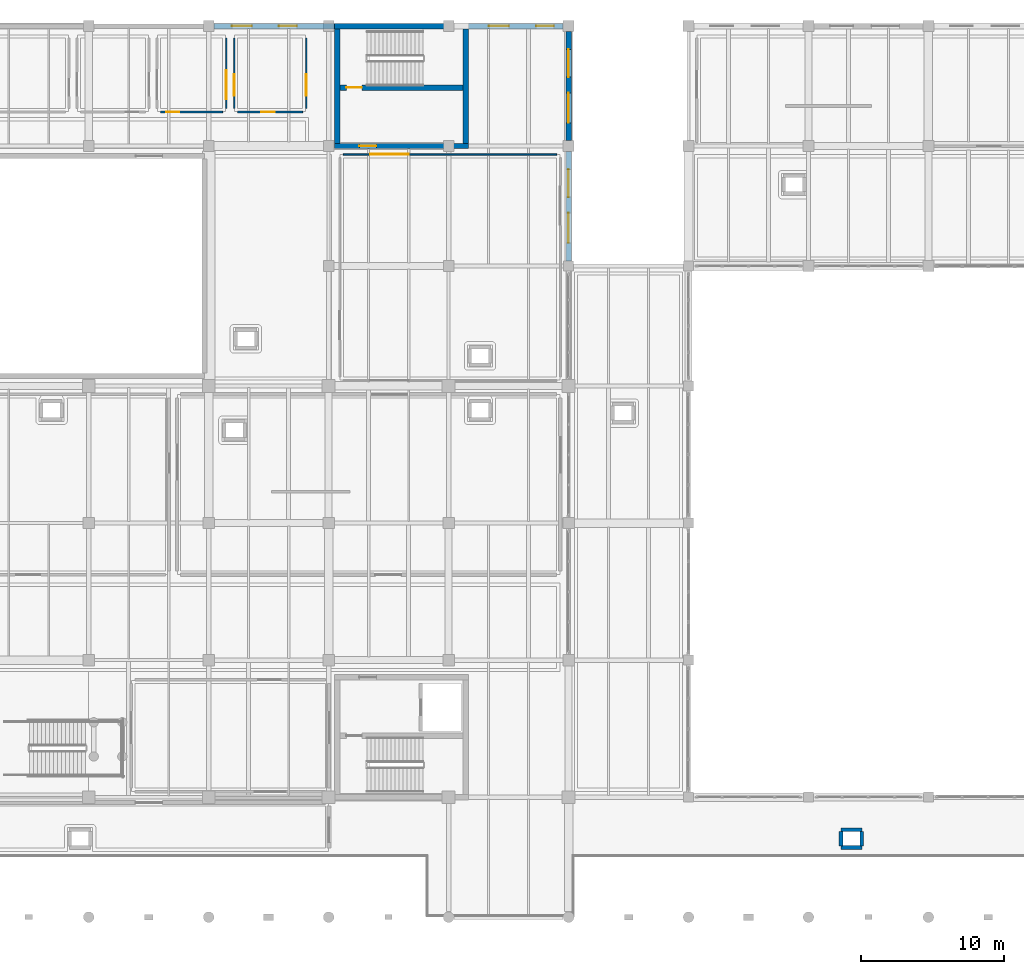
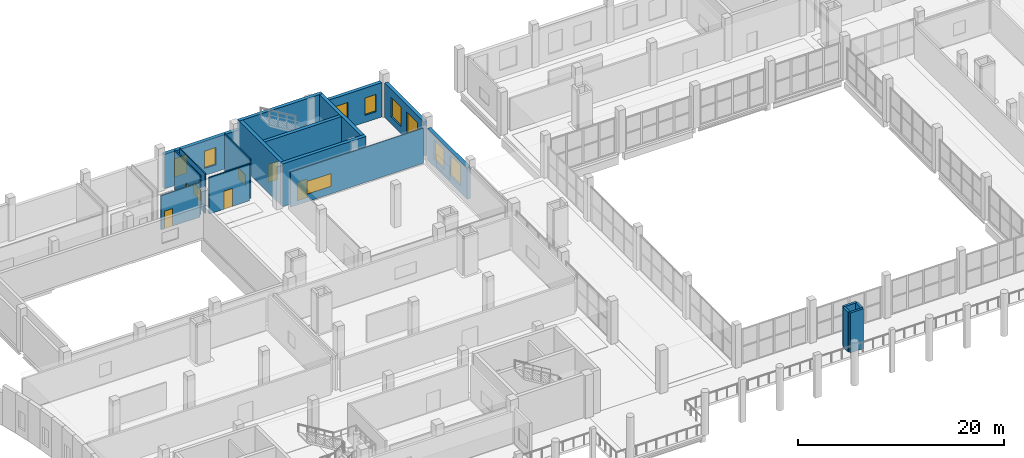
# One storey, part 47 of 66: 19 walls, 12 windows, 4 doors, 16 openings.
"""IFC4 building model written with IfcOpenShell, lengths in metres."""

from ifc_helpers import new_model, si_unit, direction, frame, frame_2d, origin, place, context, subcontext, project, spatial, rectangle, extrude, material, layer, layer_set, type_object, element, fill, save


model = new_model("IFC4")

# Units and contexts
model_context = context("Model", 3, precision=1e-05, world=origin(), true_north=direction((0.0, 1.0)))
body_context = subcontext(model_context, "Body", "Model", "MODEL_VIEW")
ifc_project = project(units=[si_unit("LENGTHUNIT", "METRE"), si_unit("AREAUNIT", "SQUARE_METRE"), si_unit("VOLUMEUNIT", "CUBIC_METRE"), si_unit("PLANEANGLEUNIT", "RADIAN"), si_unit("MASSUNIT", "GRAM", prefix="KILO")], contexts=[model_context])

# Site, building, storey
site_placement = place(None, origin())
site = spatial("IfcSite", under=ifc_project, at=site_placement, CompositionType="ELEMENT")
building_placement = place(site_placement, origin())
building = spatial("IfcBuilding", under=site, at=building_placement, Name="Zulmaris Art Gallery", CompositionType="ELEMENT")
storey_placement = place(building_placement, frame((0.0, 0.0, 5.39990234375)))
storey = spatial("IfcBuildingStorey", under=building, at=storey_placement, Name="L01", CompositionType="ELEMENT", Elevation=5.39990234375)

# Wall, openings, windows
ifc_material_1 = material(Name="Omani Desert Rose Limestone Cladding Wall", Category="masonry")
ifc_layer_1 = layer(ifc_material_1, 0.389892578125)
ifc_layer_set_1 = layer_set([ifc_layer_1], Name="Omani Desert Rose Limestone Cladding Wall")
wall_type_1 = type_object("IfcWallType", Name="ENV-WALL-EW02", PredefinedType="SOLIDWALL", material=ifc_layer_set_1)
wall_1_placement = place(storey_placement, frame((57.97705078125, 75.60009765625, 0.0), z_axis=(0.0, 0.0, 1.0), x_axis=(1.0, 0.0, 0.0)))
wall_1 = element("IfcWall", 1, at=wall_1_placement, inside=storey, type_object=wall_type_1, Name="L01 V3 North Limestone Wall (57.6..66.4)", PredefinedType="SOLIDWALL", context=body_context, shape_type="SweptSolid", body=[
    extrude(rectangle(XDim=8.430908203125, YDim=0.389892578125, at=frame_2d((4.21533203125, 0.0))), origin(), (0.0, 0.0, 1.0), 4.070068359375),
])
opening_1_placement = place(wall_1_placement, frame((1.242919921875, 0.0, 0.85009765625)))
opening_1 = element("IfcOpeningElement", 2, at=opening_1_placement, cuts=wall_1, Name="Opening W04", PredefinedType="OPENING", context=body_context, shape_type="SweptSolid", body=[
    extrude(rectangle(XDim=1.39990234375, YDim=2.199951171875, at=frame_2d((0.699951171875, 1.10009765625))), frame((0.0, 0.204833984375, 0.0), z_axis=(0.0, -1.0, 0.0), x_axis=(1.0, 0.0, 0.0)), (0.0, 0.0, 1.0), 0.409912109375),
])
opening_2_placement = place(wall_1_placement, frame((4.54296875, 0.0, 0.85009765625)))
opening_2 = element("IfcOpeningElement", 3, at=opening_2_placement, cuts=wall_1, Name="Opening W10", PredefinedType="OPENING", context=body_context, shape_type="SweptSolid", body=[
    extrude(rectangle(XDim=1.25, YDim=2.050048828125, at=frame_2d((0.625, 1.02490234375))), frame((0.0, 0.204833984375, 0.0), z_axis=(0.0, -1.0, 0.0), x_axis=(1.0, 0.0, 0.0)), (0.0, 0.0, 1.0), 0.409912109375),
])
ifc_material_2 = material(Name="Deep-Reveal Limestone Slot Window", Category="masonry")
window_type_1 = type_object("IfcWindowType", Name="WIN-W04", PartitioningType="SINGLE_PANEL", PredefinedType="WINDOW", material=ifc_material_2)
window_1_placement = place(opening_1_placement, origin())
window_1 = element("IfcWindow", 4, at=window_1_placement, inside=storey, type_object=window_type_1, Name="L01 exterior window W04", OverallHeight=2.199951171875, OverallWidth=1.39990234375, PartitioningType="SINGLE_PANEL", PredefinedType="WINDOW", context=body_context, shape_type="SweptSolid", body=[
    extrude(rectangle(XDim=1.39990234375, YDim=2.199951171875, at=frame_2d((0.699951171875, 1.10009765625))), frame((0.0, 0.030029296875, 0.0), z_axis=(0.0, -1.0, 0.0), x_axis=(1.0, 0.0, 0.0)), (0.0, 0.0, 1.0), 0.06005859375),
])
fill(opening_1, window_1)
ifc_material_3 = material(Name="Limestone Deep-Set Lancet Window", Category="masonry")
window_type_2 = type_object("IfcWindowType", Name="WIN-W10", PartitioningType="SINGLE_PANEL", PredefinedType="WINDOW", material=ifc_material_3)
window_2_placement = place(opening_2_placement, origin())
window_2 = element("IfcWindow", 5, at=window_2_placement, inside=storey, type_object=window_type_2, Name="L01 exterior window W10", OverallHeight=2.050048828125, OverallWidth=1.25, PartitioningType="SINGLE_PANEL", PredefinedType="WINDOW", context=body_context, shape_type="SweptSolid", body=[
    extrude(rectangle(XDim=1.25, YDim=2.050048828125, at=frame_2d((0.625, 1.02490234375))), frame((0.0, 0.030029296875, 0.0), z_axis=(0.0, -1.0, 0.0), x_axis=(1.0, 0.0, 0.0)), (0.0, 0.0, 1.0), 0.06005859375),
])
fill(opening_2, window_2)

wall_2_placement = place(storey_placement, frame((75.7919921875, 75.60009765625, 0.0), z_axis=(0.0, 0.0, 1.0), x_axis=(1.0, 0.0, 0.0)))
wall_2 = element("IfcWall", 6, at=wall_2_placement, inside=storey, type_object=wall_type_1, Name="L01 V3 North Limestone Wall (75.6..82.8)", PredefinedType="SOLIDWALL", context=body_context, shape_type="SweptSolid", body=[
    extrude(rectangle(XDim=6.631103515625, YDim=0.389892578125, at=frame_2d((3.3154296875, 0.0))), origin(), (0.0, 0.0, 1.0), 4.070068359375),
])
opening_3_placement = place(wall_2_placement, frame((1.427978515625, 0.0, 0.85009765625)))
opening_3 = element("IfcOpeningElement", 7, at=opening_3_placement, cuts=wall_2, Name="Opening W04", PredefinedType="OPENING", context=body_context, shape_type="SweptSolid", body=[
    extrude(rectangle(XDim=1.39990234375, YDim=2.199951171875, at=frame_2d((0.699951171875, 1.10009765625))), frame((0.0, 0.204833984375, 0.0), z_axis=(0.0, -1.0, 0.0), x_axis=(1.0, 0.0, 0.0)), (0.0, 0.0, 1.0), 0.409912109375),
])
opening_4_placement = place(wall_2_placement, frame((4.72802734375, 0.0, 0.85009765625)))
opening_4 = element("IfcOpeningElement", 8, at=opening_4_placement, cuts=wall_2, Name="Opening W10", PredefinedType="OPENING", context=body_context, shape_type="SweptSolid", body=[
    extrude(rectangle(XDim=1.25, YDim=2.050048828125, at=frame_2d((0.625, 1.02490234375))), frame((0.0, 0.204833984375, 0.0), z_axis=(0.0, -1.0, 0.0), x_axis=(1.0, 0.0, 0.0)), (0.0, 0.0, 1.0), 0.409912109375),
])
window_3_placement = place(opening_3_placement, origin())
window_3 = element("IfcWindow", 9, at=window_3_placement, inside=storey, type_object=window_type_1, Name="L01 exterior window W04", OverallHeight=2.199951171875, OverallWidth=1.39990234375, PartitioningType="SINGLE_PANEL", PredefinedType="WINDOW", context=body_context, shape_type="SweptSolid", body=[
    extrude(rectangle(XDim=1.39990234375, YDim=2.199951171875, at=frame_2d((0.699951171875, 1.10009765625))), frame((0.0, 0.030029296875, 0.0), z_axis=(0.0, -1.0, 0.0), x_axis=(1.0, 0.0, 0.0)), (0.0, 0.0, 1.0), 0.06005859375),
])
fill(opening_3, window_3)
window_4_placement = place(opening_4_placement, origin())
window_4 = element("IfcWindow", 10, at=window_4_placement, inside=storey, type_object=window_type_2, Name="L01 exterior window W10", OverallHeight=2.050048828125, OverallWidth=1.25, PartitioningType="SINGLE_PANEL", PredefinedType="WINDOW", context=body_context, shape_type="SweptSolid", body=[
    extrude(rectangle(XDim=1.25, YDim=2.050048828125, at=frame_2d((0.625, 1.02490234375))), frame((0.0, 0.030029296875, 0.0), z_axis=(0.0, -1.0, 0.0), x_axis=(1.0, 0.0, 0.0)), (0.0, 0.0, 1.0), 0.06005859375),
])
fill(opening_4, window_4)

wall_3_placement = place(storey_placement, frame((82.800048828125, 59.152099609375, 0.0), z_axis=(0.0, 0.0, 1.0), x_axis=(0.0, 1.0, 0.0)))
wall_3 = element("IfcWall", 11, at=wall_3_placement, inside=storey, type_object=wall_type_1, Name="L01 V3 East Learning Studio Wall", PredefinedType="SOLIDWALL", context=body_context, shape_type="SweptSolid", body=[
    extrude(rectangle(XDim=7.6708984375, YDim=0.389892578125, at=frame_2d((3.83544921875, 0.0))), origin(), (0.0, 0.0, 1.0), 3.77001953125),
])
opening_5_placement = place(wall_3_placement, frame((1.26806640625, 0.0, 0.85009765625)))
opening_5 = element("IfcOpeningElement", 12, at=opening_5_placement, cuts=wall_3, Name="Opening W03", PredefinedType="OPENING", context=body_context, shape_type="SweptSolid", body=[
    extrude(rectangle(XDim=2.10009765625, YDim=2.39990234375, at=frame_2d((1.050048828125, 1.199951171875))), frame((0.0, 0.204833984375, 0.0), z_axis=(0.0, -1.0, 0.0), x_axis=(1.0, 0.0, 0.0)), (0.0, 0.0, 1.0), 0.409912109375),
])
opening_6_placement = place(wall_3_placement, frame((4.468017578125, 0.0, 0.85009765625)))
opening_6 = element("IfcOpeningElement", 13, at=opening_6_placement, cuts=wall_3, Name="Opening W08", PredefinedType="OPENING", context=body_context, shape_type="SweptSolid", body=[
    extrude(rectangle(XDim=1.949951171875, YDim=2.300048828125, at=frame_2d((0.97509765625, 1.14990234375))), frame((0.0, 0.204833984375, 0.0), z_axis=(0.0, -1.0, 0.0), x_axis=(1.0, 0.0, 0.0)), (0.0, 0.0, 1.0), 0.409912109375),
])
ifc_material_4 = material(Name="Double-Glazed Bronze-Framed Studio Window", Category="glass")
window_type_3 = type_object("IfcWindowType", Name="WIN-W03", PartitioningType="SINGLE_PANEL", PredefinedType="WINDOW", material=ifc_material_4)
window_5_placement = place(opening_5_placement, origin())
window_5 = element("IfcWindow", 14, at=window_5_placement, inside=storey, type_object=window_type_3, Name="L01 exterior window W03", OverallHeight=2.39990234375, OverallWidth=2.10009765625, PartitioningType="SINGLE_PANEL", PredefinedType="WINDOW", context=body_context, shape_type="SweptSolid", body=[
    extrude(rectangle(XDim=2.10009765625, YDim=2.39990234375, at=frame_2d((1.050048828125, 1.199951171875))), frame((0.0, 0.030029296875, 0.0), z_axis=(0.0, -1.0, 0.0), x_axis=(1.0, 0.0, 0.0)), (0.0, 0.0, 1.0), 0.06005859375),
])
fill(opening_5, window_5)
ifc_material_5 = material(Name="Curatorial North Studio Window", Category="glass")
window_type_4 = type_object("IfcWindowType", Name="WIN-W08", PartitioningType="SINGLE_PANEL", PredefinedType="WINDOW", material=ifc_material_5)
window_6_placement = place(opening_6_placement, origin())
window_6 = element("IfcWindow", 15, at=window_6_placement, inside=storey, type_object=window_type_4, Name="L01 exterior window W08", OverallHeight=2.300048828125, OverallWidth=1.949951171875, PartitioningType="SINGLE_PANEL", PredefinedType="WINDOW", context=body_context, shape_type="SweptSolid", body=[
    extrude(rectangle(XDim=1.949951171875, YDim=2.300048828125, at=frame_2d((0.97509765625, 1.14990234375))), frame((0.0, 0.030029296875, 0.0), z_axis=(0.0, -1.0, 0.0), x_axis=(1.0, 0.0, 0.0)), (0.0, 0.0, 1.0), 0.06005859375),
])
fill(opening_6, window_6)

wall_4_placement = place(storey_placement, frame((82.800048828125, 67.576904296875, 0.0), z_axis=(0.0, 0.0, 1.0), x_axis=(0.0, 1.0, 0.0)))
wall_4 = element("IfcWall", 16, at=wall_4_placement, inside=storey, type_object=wall_type_1, Name="L01 V3 East Learning Studio Wall", PredefinedType="SOLIDWALL", context=body_context, shape_type="SweptSolid", body=[
    extrude(rectangle(XDim=7.64599609375, YDim=0.389892578125, at=frame_2d((3.822998046875, 0.0))), origin(), (0.0, 0.0, 1.0), 4.0751953125),
])
opening_7_placement = place(wall_4_placement, frame((1.242919921875, 0.0, 0.85009765625)))
opening_7 = element("IfcOpeningElement", 17, at=opening_7_placement, cuts=wall_4, Name="Opening W03", PredefinedType="OPENING", context=body_context, shape_type="SweptSolid", body=[
    extrude(rectangle(XDim=2.10009765625, YDim=2.39990234375, at=frame_2d((1.050048828125, 1.199951171875))), frame((0.0, 0.204833984375, 0.0), z_axis=(0.0, -1.0, 0.0), x_axis=(1.0, 0.0, 0.0)), (0.0, 0.0, 1.0), 0.409912109375),
])
opening_8_placement = place(wall_4_placement, frame((4.443115234375, 0.0, 0.85009765625)))
opening_8 = element("IfcOpeningElement", 18, at=opening_8_placement, cuts=wall_4, Name="Opening W08", PredefinedType="OPENING", context=body_context, shape_type="SweptSolid", body=[
    extrude(rectangle(XDim=1.949951171875, YDim=2.300048828125, at=frame_2d((0.97509765625, 1.14990234375))), frame((0.0, 0.204833984375, 0.0), z_axis=(0.0, -1.0, 0.0), x_axis=(1.0, 0.0, 0.0)), (0.0, 0.0, 1.0), 0.409912109375),
])
window_7_placement = place(opening_7_placement, origin())
window_7 = element("IfcWindow", 19, at=window_7_placement, inside=storey, type_object=window_type_3, Name="L01 exterior window W03", OverallHeight=2.39990234375, OverallWidth=2.10009765625, PartitioningType="SINGLE_PANEL", PredefinedType="WINDOW", context=body_context, shape_type="SweptSolid", body=[
    extrude(rectangle(XDim=2.10009765625, YDim=2.39990234375, at=frame_2d((1.050048828125, 1.199951171875))), frame((0.0, 0.030029296875, 0.0), z_axis=(0.0, -1.0, 0.0), x_axis=(1.0, 0.0, 0.0)), (0.0, 0.0, 1.0), 0.06005859375),
])
fill(opening_7, window_7)
window_8_placement = place(opening_8_placement, origin())
window_8 = element("IfcWindow", 20, at=window_8_placement, inside=storey, type_object=window_type_4, Name="L01 exterior window W08", OverallHeight=2.300048828125, OverallWidth=1.949951171875, PartitioningType="SINGLE_PANEL", PredefinedType="WINDOW", context=body_context, shape_type="SweptSolid", body=[
    extrude(rectangle(XDim=1.949951171875, YDim=2.300048828125, at=frame_2d((0.97509765625, 1.14990234375))), frame((0.0, 0.030029296875, 0.0), z_axis=(0.0, -1.0, 0.0), x_axis=(1.0, 0.0, 0.0)), (0.0, 0.0, 1.0), 0.06005859375),
])
fill(opening_8, window_8)

# Wall, opening, window
ifc_material_6 = material(Name="Acoustic Office Gypsum Partition", Category="gypsum")
ifc_layer_2 = layer(ifc_material_6, 0.10009765625)
ifc_layer_set_2 = layer_set([ifc_layer_2], Name="Acoustic Office Gypsum Partition")
wall_type_2 = type_object("IfcWallType", Name="IWALL-PW01", PredefinedType="PARTITIONING", material=ifc_layer_set_2)
wall_5_placement = place(storey_placement, frame((67.030029296875, 66.6201171875, 0.0), z_axis=(0.0, 0.0, 1.0), x_axis=(1.0, 0.0, 0.0)))
wall_5 = element("IfcWall", 21, at=wall_5_placement, inside=storey, type_object=wall_type_2, Name="Art Reference Library & Reading Room N partition", PredefinedType="PARTITIONING", context=body_context, shape_type="SweptSolid", body=[
    extrude(rectangle(XDim=14.93994140625, YDim=0.10009765625, at=frame_2d((7.469970703125, 0.0))), origin(), (0.0, 0.0, 1.0), 4.170166015625),
])
opening_9_placement = place(wall_5_placement, frame((1.89990234375, 0.0, 0.89990234375)))
opening_9 = element("IfcOpeningElement", 22, at=opening_9_placement, cuts=wall_5, Name="Opening IW07", PredefinedType="OPENING", context=body_context, shape_type="SweptSolid", body=[
    extrude(rectangle(XDim=2.679931640625, YDim=1.52001953125, at=frame_2d((1.33984375, 0.760009765625))), frame((0.0, 0.06005859375, 0.0), z_axis=(0.0, -1.0, 0.0), x_axis=(1.0, 0.0, 0.0)), (0.0, 0.0, 1.0), 0.1201171875),
])
ifc_material_7 = material(Name="Artists Salon Overlook Glazing", Category="glass")
window_type_5 = type_object("IfcWindowType", Name="IWIN-IW07", PartitioningType="SINGLE_PANEL", PredefinedType="WINDOW", material=ifc_material_7)
window_9_placement = place(opening_9_placement, origin())
window_9 = element("IfcWindow", 23, at=window_9_placement, inside=storey, type_object=window_type_5, Name="L01 interior observation window IW07", OverallHeight=1.52001953125, OverallWidth=2.679931640625, PartitioningType="SINGLE_PANEL", PredefinedType="WINDOW", context=body_context, shape_type="SweptSolid", body=[
    extrude(rectangle(XDim=2.679931640625, YDim=1.52001953125, at=frame_2d((1.33984375, 0.760009765625))), frame((0.0, 0.030029296875, 0.0), z_axis=(0.0, -1.0, 0.0), x_axis=(1.0, 0.0, 0.0)), (0.0, 0.0, 1.0), 0.06005859375),
])
fill(opening_9, window_9)

# Wall, opening, door
ifc_material_8 = material(Name="Moisture-Resistant Tile-Backer Wet Wall", Category="gypsum")
ifc_layer_3 = layer(ifc_material_8, 0.114990234375)
ifc_layer_set_3 = layer_set([ifc_layer_3], Name="Moisture-Resistant Tile-Backer Wet Wall")
wall_type_3 = type_object("IfcWallType", Name="IWALL-PW02", PredefinedType="PARTITIONING", material=ifc_layer_set_3)
wall_6_placement = place(storey_placement, frame((54.22998046875, 69.580078125, 0.0), z_axis=(0.0, 0.0, 1.0), x_axis=(1.0, 0.0, 0.0)))
wall_6 = element("IfcWall", 24, at=wall_6_placement, inside=storey, type_object=wall_type_3, Name="Level 01 Female WC S partition", PredefinedType="PARTITIONING", context=body_context, shape_type="SweptSolid", body=[
    extrude(rectangle(XDim=4.340087890625, YDim=0.114990234375, at=frame_2d((2.169921875, 0.0))), origin(), (0.0, 0.0, 1.0), 4.070068359375),
])
opening_10_placement = place(wall_6_placement, frame((0.39990234375, 0.0, 0.0)))
opening_10 = element("IfcOpeningElement", 25, at=opening_10_placement, cuts=wall_6, Name="Opening D01", PredefinedType="OPENING", context=body_context, shape_type="SweptSolid", body=[
    extrude(rectangle(XDim=0.89990234375, YDim=2.10009765625, at=frame_2d((0.449951171875, 1.050048828125))), frame((0.0, 0.0673828125, 0.0), z_axis=(0.0, -1.0, 0.0), x_axis=(1.0, 0.0, 0.0)), (0.0, 0.0, 1.0), 0.135009765625),
])
ifc_material_9 = material(Name="Moisture-Resistant WC Door", Category="timber")
door_type_1 = type_object("IfcDoorType", Name="IDOOR-D01", OperationType="NOTDEFINED", PredefinedType="DOOR", material=ifc_material_9)
door_1_placement = place(opening_10_placement, origin())
door_1 = element("IfcDoor", 26, at=door_1_placement, inside=storey, type_object=door_type_1, Name="Level 01 Female WC Door", OperationType="SINGLE_SWING_LEFT", OverallHeight=2.10009765625, OverallWidth=0.89990234375, PredefinedType="DOOR", context=body_context, shape_type="SweptSolid", body=[
    extrude(rectangle(XDim=0.89990234375, YDim=2.10009765625, at=frame_2d((0.449951171875, 1.050048828125))), frame((0.0, 0.02490234375, 0.0), z_axis=(0.0, -1.0, 0.0), x_axis=(1.0, 0.0, 0.0)), (0.0, 0.0, 1.0), 0.050048828125),
])
fill(opening_10, door_1)

# Wall, opening, window
wall_7_placement = place(storey_placement, frame((58.820068359375, 69.830078125, 0.0), z_axis=(0.0, 0.0, 1.0), x_axis=(0.0, 1.0, 0.0)))
wall_7 = element("IfcWall", 27, at=wall_7_placement, inside=storey, type_object=wall_type_3, Name="Level 01 Female WC E partition", PredefinedType="PARTITIONING", context=body_context, shape_type="SweptSolid", body=[
    extrude(rectangle(XDim=4.93994140625, YDim=0.114990234375, at=frame_2d((2.469970703125, 0.0))), origin(), (0.0, 0.0, 1.0), 4.72021484375),
])
opening_11_placement = place(wall_7_placement, frame((0.64990234375, 0.0, 0.89990234375)))
opening_11 = element("IfcOpeningElement", 28, at=opening_11_placement, cuts=wall_7, Name="Opening IW10", PredefinedType="OPENING", context=body_context, shape_type="SweptSolid", body=[
    extrude(rectangle(XDim=2.02001953125, YDim=1.320068359375, at=frame_2d((1.010009765625, 0.66015625))), frame((0.0, 0.0673828125, 0.0), z_axis=(0.0, -1.0, 0.0), x_axis=(1.0, 0.0, 0.0)), (0.0, 0.0, 1.0), 0.135009765625),
])
ifc_material_10 = material(Name="Seminar Acoustic Viewing Window", Category="glass")
window_type_6 = type_object("IfcWindowType", Name="IWIN-IW10", PartitioningType="SINGLE_PANEL", PredefinedType="WINDOW", material=ifc_material_10)
window_10_placement = place(opening_11_placement, origin())
window_10 = element("IfcWindow", 29, at=window_10_placement, inside=storey, type_object=window_type_6, Name="L01 interior observation window IW10", OverallHeight=1.320068359375, OverallWidth=2.02001953125, PartitioningType="SINGLE_PANEL", PredefinedType="WINDOW", context=body_context, shape_type="SweptSolid", body=[
    extrude(rectangle(XDim=2.02001953125, YDim=1.320068359375, at=frame_2d((1.010009765625, 0.66015625))), frame((0.0, 0.030029296875, 0.0), z_axis=(0.0, -1.0, 0.0), x_axis=(1.0, 0.0, 0.0)), (0.0, 0.0, 1.0), 0.06005859375),
])
fill(opening_11, window_10)

# Wall, opening, door
wall_8_placement = place(storey_placement, frame((59.6298828125, 69.580078125, 0.0), z_axis=(0.0, 0.0, 1.0), x_axis=(1.0, 0.0, 0.0)))
wall_8 = element("IfcWall", 30, at=wall_8_placement, inside=storey, type_object=wall_type_3, Name="Level 01 Accessible WC S partition", PredefinedType="PARTITIONING", context=body_context, shape_type="SweptSolid", body=[
    extrude(rectangle(XDim=4.5400390625, YDim=0.114990234375, at=frame_2d((2.27001953125, 0.0))), origin(), (0.0, 0.0, 1.0), 4.340087890625),
])
opening_12_placement = place(wall_8_placement, frame((1.64990234375, 0.0, 0.0)))
opening_12 = element("IfcOpeningElement", 31, at=opening_12_placement, cuts=wall_8, Name="Opening D02", PredefinedType="OPENING", context=body_context, shape_type="SweptSolid", body=[
    extrude(rectangle(XDim=0.9599609375, YDim=2.139892578125, at=frame_2d((0.47998046875, 1.06982421875))), frame((0.0, 0.0673828125, 0.0), z_axis=(0.0, -1.0, 0.0), x_axis=(1.0, 0.0, 0.0)), (0.0, 0.0, 1.0), 0.135009765625),
])
ifc_material_11 = material(Name="Accessible WC Outward-Opening Door", Category="timber")
door_type_2 = type_object("IfcDoorType", Name="IDOOR-D02", OperationType="NOTDEFINED", PredefinedType="DOOR", material=ifc_material_11)
door_2_placement = place(opening_12_placement, origin())
door_2 = element("IfcDoor", 32, at=door_2_placement, inside=storey, type_object=door_type_2, Name="Level 01 Accessible WC Door", OperationType="SINGLE_SWING_RIGHT", OverallHeight=2.139892578125, OverallWidth=0.9599609375, PredefinedType="DOOR", context=body_context, shape_type="SweptSolid", body=[
    extrude(rectangle(XDim=0.9599609375, YDim=2.139892578125, at=frame_2d((0.47998046875, 1.06982421875))), frame((0.0, 0.02490234375, 0.0), z_axis=(0.0, -1.0, 0.0), x_axis=(1.0, 0.0, 0.0)), (0.0, 0.0, 1.0), 0.050048828125),
])
fill(opening_12, door_2)

# Wall, opening, window
wall_9_placement = place(storey_placement, frame((59.3798828125, 69.830078125, 0.0), z_axis=(0.0, 0.0, 1.0), x_axis=(0.0, 1.0, 0.0)))
wall_9 = element("IfcWall", 33, at=wall_9_placement, inside=storey, type_object=wall_type_3, Name="Level 01 Accessible WC W partition", PredefinedType="PARTITIONING", context=body_context, shape_type="SweptSolid", body=[
    extrude(rectangle(XDim=4.93994140625, YDim=0.114990234375, at=frame_2d((2.469970703125, 0.0))), origin(), (0.0, 0.0, 1.0), 4.72021484375),
])
opening_13_placement = place(wall_9_placement, frame((0.89990234375, 0.0, 0.89990234375)))
opening_13 = element("IfcOpeningElement", 34, at=opening_13_placement, cuts=wall_9, Name="Opening IW01", PredefinedType="OPENING", context=body_context, shape_type="SweptSolid", body=[
    extrude(rectangle(XDim=1.47998046875, YDim=1.35009765625, at=frame_2d((0.739990234375, 0.675048828125))), frame((0.0, 0.0673828125, 0.0), z_axis=(0.0, -1.0, 0.0), x_axis=(1.0, 0.0, 0.0)), (0.0, 0.0, 1.0), 0.135009765625),
])
ifc_material_12 = material(Name="Conservation Studio Viewing Window", Category="glass")
window_type_7 = type_object("IfcWindowType", Name="IWIN-IW01", PartitioningType="SINGLE_PANEL", PredefinedType="WINDOW", material=ifc_material_12)
window_11_placement = place(opening_13_placement, origin())
window_11 = element("IfcWindow", 35, at=window_11_placement, inside=storey, type_object=window_type_7, Name="L01 interior observation window IW01", OverallHeight=1.35009765625, OverallWidth=1.47998046875, PartitioningType="SINGLE_PANEL", PredefinedType="WINDOW", context=body_context, shape_type="SweptSolid", body=[
    extrude(rectangle(XDim=1.47998046875, YDim=1.35009765625, at=frame_2d((0.739990234375, 0.675048828125))), frame((0.0, 0.030029296875, 0.0), z_axis=(0.0, -1.0, 0.0), x_axis=(1.0, 0.0, 0.0)), (0.0, 0.0, 1.0), 0.06005859375),
])
fill(opening_13, window_11)

wall_10_placement = place(storey_placement, frame((64.419921875, 69.830078125, 0.0), z_axis=(0.0, 0.0, 1.0), x_axis=(0.0, 1.0, 0.0)))
wall_10 = element("IfcWall", 36, at=wall_10_placement, inside=storey, type_object=wall_type_3, Name="Level 01 Accessible WC E partition", PredefinedType="PARTITIONING", context=body_context, shape_type="SweptSolid", body=[
    extrude(rectangle(XDim=4.93994140625, YDim=0.114990234375, at=frame_2d((2.469970703125, 0.0))), origin(), (0.0, 0.0, 1.0), 4.72021484375),
])
opening_14_placement = place(wall_10_placement, frame((0.89990234375, 0.0, 0.89990234375)))
opening_14 = element("IfcOpeningElement", 37, at=opening_14_placement, cuts=wall_10, Name="Opening IW01", PredefinedType="OPENING", context=body_context, shape_type="SweptSolid", body=[
    extrude(rectangle(XDim=1.47998046875, YDim=1.35009765625, at=frame_2d((0.739990234375, 0.675048828125))), frame((0.0, 0.0673828125, 0.0), z_axis=(0.0, -1.0, 0.0), x_axis=(1.0, 0.0, 0.0)), (0.0, 0.0, 1.0), 0.135009765625),
])
window_12_placement = place(opening_14_placement, origin())
window_12 = element("IfcWindow", 38, at=window_12_placement, inside=storey, type_object=window_type_7, Name="L01 interior observation window IW01", OverallHeight=1.35009765625, OverallWidth=1.47998046875, PartitioningType="SINGLE_PANEL", PredefinedType="WINDOW", context=body_context, shape_type="SweptSolid", body=[
    extrude(rectangle(XDim=1.47998046875, YDim=1.35009765625, at=frame_2d((0.739990234375, 0.675048828125))), frame((0.0, 0.030029296875, 0.0), z_axis=(0.0, -1.0, 0.0), x_axis=(1.0, 0.0, 0.0)), (0.0, 0.0, 1.0), 0.06005859375),
])
fill(opening_14, window_12)

# Walls
ifc_material_13 = material(Name="MEP Riser & Smoke Shaft Enclosure Wall", Category="masonry")
ifc_layer_4 = layer(ifc_material_13, 0.2548828125)
ifc_layer_set_4 = layer_set([ifc_layer_4], Name="MEP Riser & Smoke Shaft Enclosure Wall")
wall_type_4 = type_object("IfcWallType", Name="IWALL-PW11", PredefinedType="PARTITIONING", material=ifc_layer_set_4)
for number, where, z_axis, x_axis, name in (
    (39, (101.860107421875, 19.320068359375, 0.0), (0.0, 0.0, 1.0), (1.0, 0.0, 0.0), "L01 MEP Riser 5 N wall"),
    (40, (101.860107421875, 18.080078125, 0.0), (0.0, 0.0, 1.0), (1.0, 0.0, 0.0), "L01 MEP Riser 5 S wall"),
):
    element("IfcWall", number, at=place(storey_placement, frame(where, z_axis=z_axis, x_axis=x_axis)), inside=storey, type_object=wall_type_4, Name=name, PredefinedType="PARTITIONING", context=body_context, shape_type="SweptSolid", body=[
        extrude(rectangle(XDim=1.47998046875, YDim=0.2548828125, at=frame_2d((0.739990234375, 0.0))), origin(), (0.0, 0.0, 1.0), 4.72021484375),
    ])
for number, where, z_axis, x_axis, name in (
    (41, (101.8798828125, 18.199951171875, 0.0), (0.0, 0.0, 1.0), (0.0, 1.0, 0.0), "L01 MEP Riser 5 W wall"),
    (42, (103.320068359375, 18.199951171875, 0.0), (0.0, 0.0, 1.0), (0.0, 1.0, 0.0), "L01 MEP Riser 5 E wall"),
):
    element("IfcWall", number, at=place(storey_placement, frame(where, z_axis=z_axis, x_axis=x_axis)), inside=storey, type_object=wall_type_4, Name=name, PredefinedType="PARTITIONING", context=body_context, shape_type="SweptSolid", body=[
        extrude(rectangle(XDim=1.0, YDim=0.2548828125, at=frame_2d((0.5, 0.0))), origin(), (0.0, 0.0, 1.0), 4.72021484375),
    ])

# Wall, opening, door
ifc_material_14 = material(Name="Concrete C50/60", Category="concrete")
ifc_layer_5 = layer(ifc_material_14, 0.3798828125)
ifc_layer_set_5 = layer_set([ifc_layer_5], Name="Concrete C50/60")
wall_type_5 = type_object("IfcWallType", Name="STR-WALL-SW02", PredefinedType="SHEAR", material=ifc_layer_set_5)
wall_11_placement = place(storey_placement, frame((66.409912109375, 67.199951171875, 0.0), z_axis=(0.0, 0.0, 1.0), x_axis=(1.0, 0.0, 0.0)))
wall_11 = element("IfcWall", 43, at=wall_11_placement, inside=storey, type_object=wall_type_5, Name="Core C6 L01 S shear wall", PredefinedType="SHEAR", context=body_context, shape_type="SweptSolid", body=[
    extrude(rectangle(XDim=9.380126953125, YDim=0.3798828125, at=frame_2d((4.68994140625, 0.0))), origin(), (0.0, 0.0, 1.0), 5.10009765625),
])
opening_15_placement = place(wall_11_placement, frame((1.75, 0.0, 0.0)))
opening_15 = element("IfcOpeningElement", 44, at=opening_15_placement, cuts=wall_11, Name="Opening D08", PredefinedType="OPENING", context=body_context, shape_type="SweptSolid", body=[
    extrude(rectangle(XDim=1.179931640625, YDim=2.239990234375, at=frame_2d((0.58984375, 1.1201171875))), frame((0.0, 0.199951171875, 0.0), z_axis=(0.0, -1.0, 0.0), x_axis=(1.0, 0.0, 0.0)), (0.0, 0.0, 1.0), 0.39990234375),
])
ifc_material_15 = material(Name="Firefighting Lobby Compartment Door", Category="steel")
door_type_3 = type_object("IfcDoorType", Name="IDOOR-D08", OperationType="NOTDEFINED", PredefinedType="DOOR", material=ifc_material_15)
door_3_placement = place(opening_15_placement, origin())
door_3 = element("IfcDoor", 45, at=door_3_placement, inside=storey, type_object=door_type_3, Name="Core C6 L01 Lobby Compartment Door", OperationType="SINGLE_SWING_RIGHT", OverallHeight=2.239990234375, OverallWidth=1.179931640625, PredefinedType="DOOR", context=body_context, shape_type="SweptSolid", body=[
    extrude(rectangle(XDim=1.179931640625, YDim=2.239990234375, at=frame_2d((0.58984375, 1.1201171875))), frame((0.0, 0.02490234375, 0.0), z_axis=(0.0, -1.0, 0.0), x_axis=(1.0, 0.0, 0.0)), (0.0, 0.0, 1.0), 0.050048828125),
])
fill(opening_15, door_3)

# Walls
wall_12_placement = place(storey_placement, frame((66.409912109375, 75.60009765625, 0.0), z_axis=(0.0, 0.0, 1.0), x_axis=(1.0, 0.0, 0.0)))
element("IfcWall", 46, at=wall_12_placement, inside=storey, type_object=wall_type_5, Name="Core C6 L01 N shear wall", PredefinedType="SHEAR", context=body_context, shape_type="SweptSolid", body=[
    extrude(rectangle(XDim=9.380126953125, YDim=0.3798828125, at=frame_2d((4.68994140625, 0.0))), origin(), (0.0, 0.0, 1.0), 5.10009765625),
])
for number, where, z_axis, x_axis, name in (
    (47, (66.60009765625, 67.389892578125, 0.0), (0.0, 0.0, 1.0), (0.0, 1.0, 0.0), "Core C6 L01 W shear wall"),
    (48, (75.60009765625, 67.389892578125, 0.0), (0.0, 0.0, 1.0), (0.0, 1.0, 0.0), "Core C6 L01 E shear wall"),
):
    element("IfcWall", number, at=place(storey_placement, frame(where, z_axis=z_axis, x_axis=x_axis)), inside=storey, type_object=wall_type_5, Name=name, PredefinedType="SHEAR", context=body_context, shape_type="SweptSolid", body=[
        extrude(rectangle(XDim=8.02001953125, YDim=0.3798828125, at=frame_2d((4.010009765625, 0.0))), origin(), (0.0, 0.0, 1.0), 5.10009765625),
    ])

# Wall, opening, door
wall_13_placement = place(storey_placement, frame((66.7900390625, 71.2900390625, 0.0), z_axis=(0.0, 0.0, 1.0), x_axis=(1.0, 0.0, 0.0)))
wall_13 = element("IfcWall", 49, at=wall_13_placement, inside=storey, type_object=wall_type_5, Name="Core C6 L01 DIV shear wall", PredefinedType="SHEAR", context=body_context, shape_type="SweptSolid", body=[
    extrude(rectangle(XDim=8.619873046875, YDim=0.3798828125, at=frame_2d((4.31005859375, 0.0))), origin(), (0.0, 0.0, 1.0), 5.10009765625),
])
opening_16_placement = place(wall_13_placement, frame((0.449951171875, 0.0, 0.0)))
opening_16 = element("IfcOpeningElement", 50, at=opening_16_placement, cuts=wall_13, Name="Opening D07", PredefinedType="OPENING", context=body_context, shape_type="SweptSolid", body=[
    extrude(rectangle(XDim=1.080078125, YDim=2.179931640625, at=frame_2d((0.5400390625, 1.08984375))), frame((0.0, 0.199951171875, 0.0), z_axis=(0.0, -1.0, 0.0), x_axis=(1.0, 0.0, 0.0)), (0.0, 0.0, 1.0), 0.39990234375),
])
ifc_material_16 = material(Name="Stairwell Fire Escape Door", Category="steel")
door_type_4 = type_object("IfcDoorType", Name="IDOOR-D07", OperationType="NOTDEFINED", PredefinedType="DOOR", material=ifc_material_16)
door_4_placement = place(opening_16_placement, origin())
door_4 = element("IfcDoor", 51, at=door_4_placement, inside=storey, type_object=door_type_4, Name="Core C6 L01 Stair ST7 Fire Door", OperationType="SINGLE_SWING_LEFT", OverallHeight=2.179931640625, OverallWidth=1.080078125, PredefinedType="DOOR", context=body_context, shape_type="SweptSolid", body=[
    extrude(rectangle(XDim=1.080078125, YDim=2.179931640625, at=frame_2d((0.5400390625, 1.08984375))), frame((0.0, 0.02490234375, 0.0), z_axis=(0.0, -1.0, 0.0), x_axis=(1.0, 0.0, 0.0)), (0.0, 0.0, 1.0), 0.050048828125),
])
fill(opening_16, door_4)

save(model, "model.ifc")
